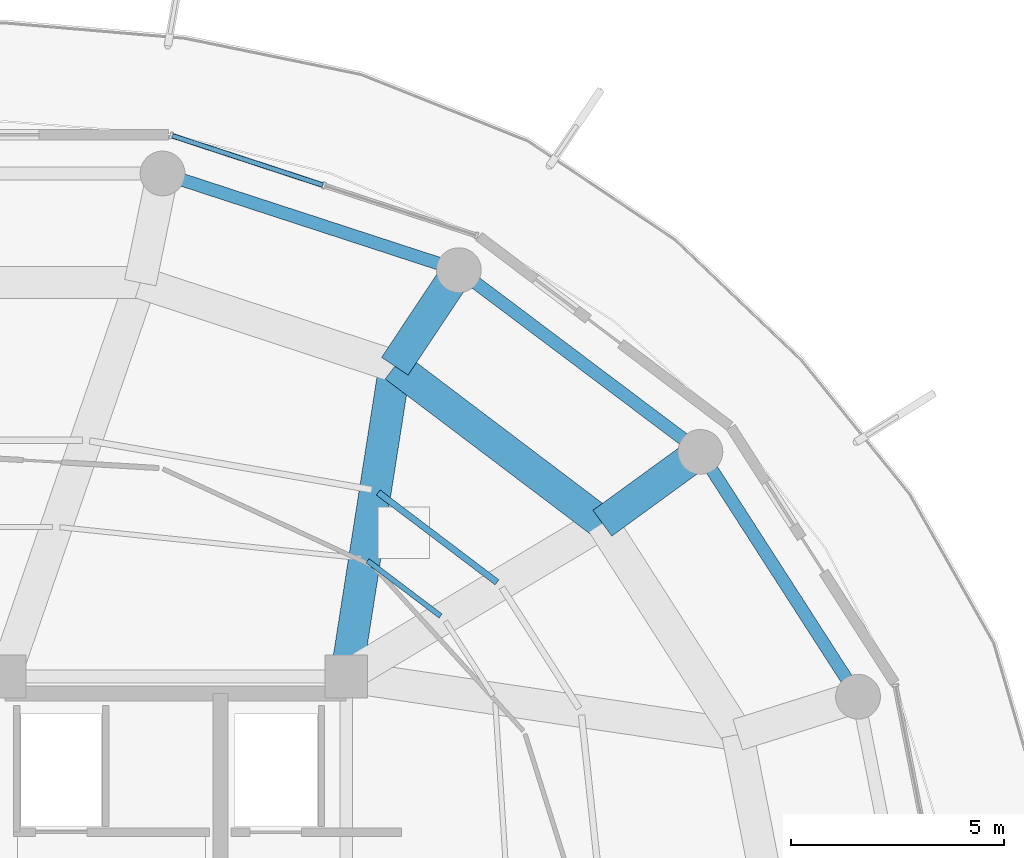
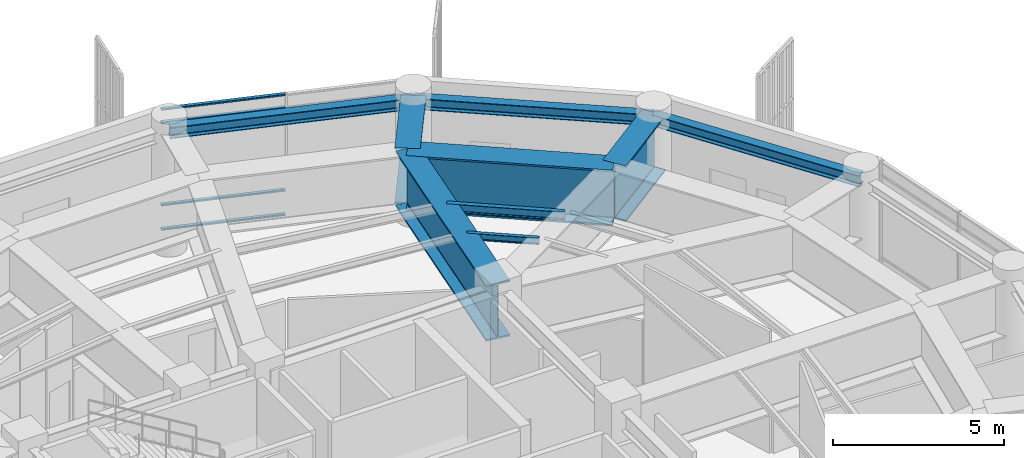
# One storey, part 19 of 29: 9 beams, 4 members, 1 element without a shape of its own.
"""IFC4 building model written with IfcOpenShell, lengths in metres."""

from ifc_helpers import new_model, si_unit, direction, frame, origin, origin_2d, place, context, subcontext, project, spatial, hollow_rectangle, i_section, extrude, material, layer, layer_set, material_profile, profile_set, type_object, element, aggregate, save


model = new_model("IFC4")

# Units and contexts
model_context = context("Model", 3, precision=1e-05, world=origin(), true_north=direction((0.0, 1.0)))
body_context = subcontext(model_context, "Body", "Model", "MODEL_VIEW")
ifc_project = project(units=[si_unit("LENGTHUNIT", "METRE"), si_unit("AREAUNIT", "SQUARE_METRE"), si_unit("VOLUMEUNIT", "CUBIC_METRE"), si_unit("PLANEANGLEUNIT", "RADIAN"), si_unit("MASSUNIT", "GRAM", prefix="KILO")], contexts=[model_context])

# Site, building, storey
site_placement = place(None, origin())
site = spatial("IfcSite", under=ifc_project, at=site_placement, CompositionType="ELEMENT")
building_placement = place(site_placement, origin())
building = spatial("IfcBuilding", under=site, at=building_placement, Name="Kelanora Arch Commons", CompositionType="ELEMENT")
storey_placement = place(building_placement, frame((0.0, 0.0, 238.199951171875)))
storey = spatial("IfcBuildingStorey", under=building, at=storey_placement, Name="L61", CompositionType="ELEMENT", Elevation=238.199951171875)

# Beams
ifc_material_1 = material(Name="Steel S355", Category="steel")
ifc_material_profile_1 = material_profile(ifc_material_1, i_section(OverallWidth=0.14990234375, OverallDepth=0.300048828125, WebThickness=0.007080078125, FlangeThickness=0.0107421875, FilletRadius=0.014892578125, at=origin_2d()), Name="IPE300")
ifc_profile_set_1 = profile_set([ifc_material_profile_1], Name="Steel S355")
beam_type_1 = type_object("IfcBeamType", Name="BM-JST-01", PredefinedType="JOIST", material=ifc_profile_set_1)
beam_1_placement = place(storey_placement, frame((85.5341796875, 67.20703125, 4.2099609375), z_axis=(-0.797499198801, 0.603320004568, 0.0), x_axis=(-0.603320004568, -0.797499198801, 0.0)))
element("IfcBeam", 1, at=beam_1_placement, inside=storey, type_object=beam_type_1, Name="Secondary Chord Joist BJB-04 L61", PredefinedType="JOIST", context=body_context, shape_type="SweptSolid", body=[
    extrude(i_section(OverallWidth=0.14990234375, OverallDepth=0.300048828125, WebThickness=0.007080078125, FlangeThickness=0.0107421875, FilletRadius=0.014892578125, at=origin_2d()), origin(), (0.0, 0.0, 1.0), 3.489013671875),
])
ifc_material_profile_2 = material_profile(ifc_material_1, i_section(OverallWidth=0.1201171875, OverallDepth=0.239990234375, WebThickness=0.006103515625, FlangeThickness=0.009765625, FilletRadius=0.014892578125, at=origin_2d()), Name="IPE240")
ifc_profile_set_2 = profile_set([ifc_material_profile_2], Name="Steel S355")
beam_type_2 = type_object("IfcBeamType", Name="BM-JST-02", PredefinedType="JOIST", material=ifc_profile_set_2)
beam_2_placement = place(storey_placement, frame((84.21337890625, 66.416748046875, 4.239990234375), z_axis=(-0.797509883882, 0.603305880222, 0.0), x_axis=(-0.603305880222, -0.797509883882, 0.0)))
element("IfcBeam", 2, at=beam_2_placement, inside=storey, type_object=beam_type_2, Name="Secondary Chord Joist BJA-04 L61", PredefinedType="JOIST", context=body_context, shape_type="SweptSolid", body=[
    extrude(i_section(OverallWidth=0.1201171875, OverallDepth=0.239990234375, WebThickness=0.006103515625, FlangeThickness=0.009765625, FilletRadius=0.014892578125, at=origin_2d()), origin(), (0.0, 0.0, 1.0), 2.147216796875),
])
ifc_material_profile_3 = material_profile(ifc_material_1, i_section(OverallWidth=0.300048828125, OverallDepth=0.39990234375, WebThickness=0.013427734375, FlangeThickness=0.02392578125, FilletRadius=0.027099609375, at=origin_2d()), Name="HEB400")
ifc_profile_set_3 = profile_set([ifc_material_profile_3], Name="Steel S355")
beam_type_3 = type_object("IfcBeamType", Name="BM-SPN-Z4", PredefinedType="SPANDREL", material=ifc_profile_set_3)
beam_3_placement = place(storey_placement, frame((93.99658203125, 64.525634765625, 4.16015625), z_axis=(-0.541364878868, 0.840787766281, 0.0), x_axis=(-0.840787766281, -0.541364878868, 0.0)))
element("IfcBeam", 3, at=beam_3_placement, inside=storey, type_object=beam_type_3, Name="Perimeter Spandrel Beam BS-02 L61", PredefinedType="SPANDREL", context=body_context, shape_type="SweptSolid", body=[
    extrude(i_section(OverallWidth=0.300048828125, OverallDepth=0.39990234375, WebThickness=0.013427734375, FlangeThickness=0.02392578125, FilletRadius=0.027099609375, at=origin_2d()), origin(), (0.0, 0.0, 1.0), 6.825439453125),
])
beam_4_placement = place(storey_placement, frame((90.301513671875, 70.264404296875, 4.16015625), z_axis=(-0.799114211715, 0.60117923836, 0.0), x_axis=(-0.60117923836, -0.799114211715, 0.0)))
element("IfcBeam", 4, at=beam_4_placement, inside=storey, type_object=beam_type_3, Name="Perimeter Spandrel Beam BS-04 L61", PredefinedType="SPANDREL", context=body_context, shape_type="SweptSolid", body=[
    extrude(i_section(OverallWidth=0.300048828125, OverallDepth=0.39990234375, WebThickness=0.013427734375, FlangeThickness=0.02392578125, FilletRadius=0.027099609375, at=origin_2d()), origin(), (0.0, 0.0, 1.0), 7.0849609375),
])
beam_5_placement = place(storey_placement, frame((84.639892578125, 74.523681640625, 4.16015625), z_axis=(-0.950656361143, 0.310245842872, 0.0), x_axis=(-0.310245842872, -0.950656361143, 0.0)))
element("IfcBeam", 5, at=beam_5_placement, inside=storey, type_object=beam_type_3, Name="Perimeter Spandrel Beam BS-06 L61", PredefinedType="SPANDREL", context=body_context, shape_type="SweptSolid", body=[
    extrude(i_section(OverallWidth=0.300048828125, OverallDepth=0.39990234375, WebThickness=0.013427734375, FlangeThickness=0.02392578125, FilletRadius=0.027099609375, at=origin_2d()), origin(), (0.0, 0.0, 1.0), 7.304931640625),
])
ifc_material_profile_4 = material_profile(ifc_material_1, i_section(OverallWidth=0.75, OverallDepth=2.0, WebThickness=0.034912109375, FlangeThickness=0.06005859375, FilletRadius=0.028076171875, at=origin_2d()), Name="PG2000x750")
ifc_profile_set_4 = profile_set([ifc_material_profile_4], Name="Steel S355")
beam_type_4 = type_object("IfcBeamType", Name="BM-XFER-SET", PredefinedType="USERDEFINED", material=ifc_profile_set_4)
beam_6_placement = place(storey_placement, frame((88.00341796875, 68.593017578125, 3.360107421875), z_axis=(0.808728653653, 0.588181914683, 0.0), x_axis=(-0.588181914683, 0.808728653653, 0.0)))
element("IfcBeam", 6, at=beam_6_placement, inside=storey, type_object=beam_type_4, Name="Radial Floor Girder BR-04 L61", ObjectType="TRANSFER_GIRDER", PredefinedType="USERDEFINED", context=body_context, shape_type="SweptSolid", body=[
    extrude(i_section(OverallWidth=0.75, OverallDepth=2.0, WebThickness=0.034912109375, FlangeThickness=0.06005859375, FilletRadius=0.028076171875, at=origin_2d()), origin(), (0.0, 0.0, 1.0), 2.841552734375),
])
beam_7_placement = place(storey_placement, frame((82.0, 65.0, 3.360107421875), z_axis=(0.154855424129, 0.987937142544, 0.0), x_axis=(-0.987937142544, 0.154855424129, 0.0)))
element("IfcBeam", 7, at=beam_7_placement, inside=storey, type_object=beam_type_4, Name="Setback Radial Transfer Girder BRI-06 L61", ObjectType="TRANSFER_GIRDER", PredefinedType="USERDEFINED", context=body_context, shape_type="SweptSolid", body=[
    extrude(i_section(OverallWidth=0.75, OverallDepth=2.0, WebThickness=0.034912109375, FlangeThickness=0.06005859375, FilletRadius=0.028076171875, at=origin_2d()), origin(), (0.0, 0.0, 1.0), 7.361083984375),
])
beam_8_placement = place(storey_placement, frame((83.139892578125, 72.272216796875, 3.360107421875), z_axis=(0.554450268741, 0.832216858453, 0.0), x_axis=(-0.832216858453, 0.554450268741, 0.0)))
element("IfcBeam", 8, at=beam_8_placement, inside=storey, type_object=beam_type_4, Name="Radial Floor Girder BR-06 L61", ObjectType="TRANSFER_GIRDER", PredefinedType="USERDEFINED", context=body_context, shape_type="SweptSolid", body=[
    extrude(i_section(OverallWidth=0.75, OverallDepth=2.0, WebThickness=0.034912109375, FlangeThickness=0.06005859375, FilletRadius=0.028076171875, at=origin_2d()), origin(), (0.0, 0.0, 1.0), 2.705322265625),
])
beam_9_placement = place(storey_placement, frame((88.00341796875, 68.593017578125, 3.360107421875), z_axis=(-0.797509460967, 0.603306439273, 0.0), x_axis=(-0.603306439273, -0.797509460967, 0.0)))
element("IfcBeam", 9, at=beam_9_placement, inside=storey, type_object=beam_type_4, Name="Setback Inner Transfer Ring BSI-04 L61", ObjectType="TRANSFER_GIRDER", PredefinedType="USERDEFINED", context=body_context, shape_type="SweptSolid", body=[
    extrude(i_section(OverallWidth=0.75, OverallDepth=2.0, WebThickness=0.034912109375, FlangeThickness=0.06005859375, FilletRadius=0.028076171875, at=origin_2d()), origin(), (0.0, 0.0, 1.0), 6.098388671875),
])

# Curtain wall, members
ifc_material_2 = material(Name="Terracotta ceramic-fritted low-E glass and aluminium", Category="masonry")
ifc_layer = layer(ifc_material_2, 0.175048828125)
ifc_layer_set = layer_set([ifc_layer], Name="Terracotta ceramic-fritted low-E glass and aluminium")
curtain_wall_type = type_object("IfcCurtainWallType", Name="CW-SYS-02", PredefinedType="NOTDEFINED", material=ifc_layer_set)
curtain_wall_placement = place(storey_placement, origin())
curtain_wall = element("IfcCurtainWall", 10, at=curtain_wall_placement, inside=storey, type_object=curtain_wall_type, Name="Unitised Curtain Wall L61-B03", PredefinedType="NOTDEFINED")
ifc_material_3 = material(Name="Powder-coated aluminium terracotta", Category="masonry")
ifc_material_profile_5 = material_profile(ifc_material_3, hollow_rectangle(XDim=0.1201171875, YDim=0.06005859375, WallThickness=0.0048828125, InnerFilletRadius=0.0048828125, OuterFilletRadius=0.010009765625, at=origin_2d()), Name="CWT120x60")
ifc_profile_set_5 = profile_set([ifc_material_profile_5], Name="Powder-coated aluminium terracotta")
member_type = type_object("IfcMemberType", Name="CWT-STD", PredefinedType="USERDEFINED", material=ifc_profile_set_5)
member_1_placement = place(storey_placement, frame((81.448974609375, 76.517578125, 0.030029296875), z_axis=(-0.950206527055, 0.311620852867, 0.0), x_axis=(-0.311620852867, -0.950206527055, 0.0)))
member_1 = element("IfcMember", 11, at=member_1_placement, type_object=member_type, Name="CW-02 transom 2.1", ObjectType="TRANSOM", PredefinedType="USERDEFINED", context=body_context, shape_type="SweptSolid", body=[
    extrude(hollow_rectangle(XDim=0.1201171875, YDim=0.06005859375, WallThickness=0.0048828125, InnerFilletRadius=0.0048828125, OuterFilletRadius=0.010009765625, at=origin_2d()), origin(), (0.0, 0.0, 1.0), 3.707275390625),
])
member_2_placement = place(storey_placement, frame((81.448974609375, 76.517578125, 0.900146484375), z_axis=(-0.950206527055, 0.311620852867, 0.0), x_axis=(-0.311620852867, -0.950206527055, 0.0)))
member_2 = element("IfcMember", 12, at=member_2_placement, type_object=member_type, Name="CW-02 transom 2.2", ObjectType="TRANSOM", PredefinedType="USERDEFINED", context=body_context, shape_type="SweptSolid", body=[
    extrude(hollow_rectangle(XDim=0.1201171875, YDim=0.06005859375, WallThickness=0.0048828125, InnerFilletRadius=0.0048828125, OuterFilletRadius=0.010009765625, at=origin_2d()), origin(), (0.0, 0.0, 1.0), 3.707275390625),
])
member_3_placement = place(storey_placement, frame((81.448974609375, 76.517578125, 3.844970703125), z_axis=(-0.950206527055, 0.311620852867, 0.0), x_axis=(-0.311620852867, -0.950206527055, 0.0)))
member_3 = element("IfcMember", 13, at=member_3_placement, type_object=member_type, Name="CW-02 transom 2.3", ObjectType="TRANSOM", PredefinedType="USERDEFINED", context=body_context, shape_type="SweptSolid", body=[
    extrude(hollow_rectangle(XDim=0.1201171875, YDim=0.06005859375, WallThickness=0.0048828125, InnerFilletRadius=0.0048828125, OuterFilletRadius=0.010009765625, at=origin_2d()), origin(), (0.0, 0.0, 1.0), 3.707275390625),
])
member_4_placement = place(storey_placement, frame((81.448974609375, 76.517578125, 4.31494140625), z_axis=(-0.950206527055, 0.311620852867, 0.0), x_axis=(-0.311620852867, -0.950206527055, 0.0)))
member_4 = element("IfcMember", 14, at=member_4_placement, type_object=member_type, Name="CW-02 transom 2.4", ObjectType="TRANSOM", PredefinedType="USERDEFINED", context=body_context, shape_type="SweptSolid", body=[
    extrude(hollow_rectangle(XDim=0.1201171875, YDim=0.06005859375, WallThickness=0.0048828125, InnerFilletRadius=0.0048828125, OuterFilletRadius=0.010009765625, at=origin_2d()), origin(), (0.0, 0.0, 1.0), 3.707275390625),
])
aggregate(curtain_wall, [member_1, member_2, member_3, member_4])

save(model, "model.ifc")
